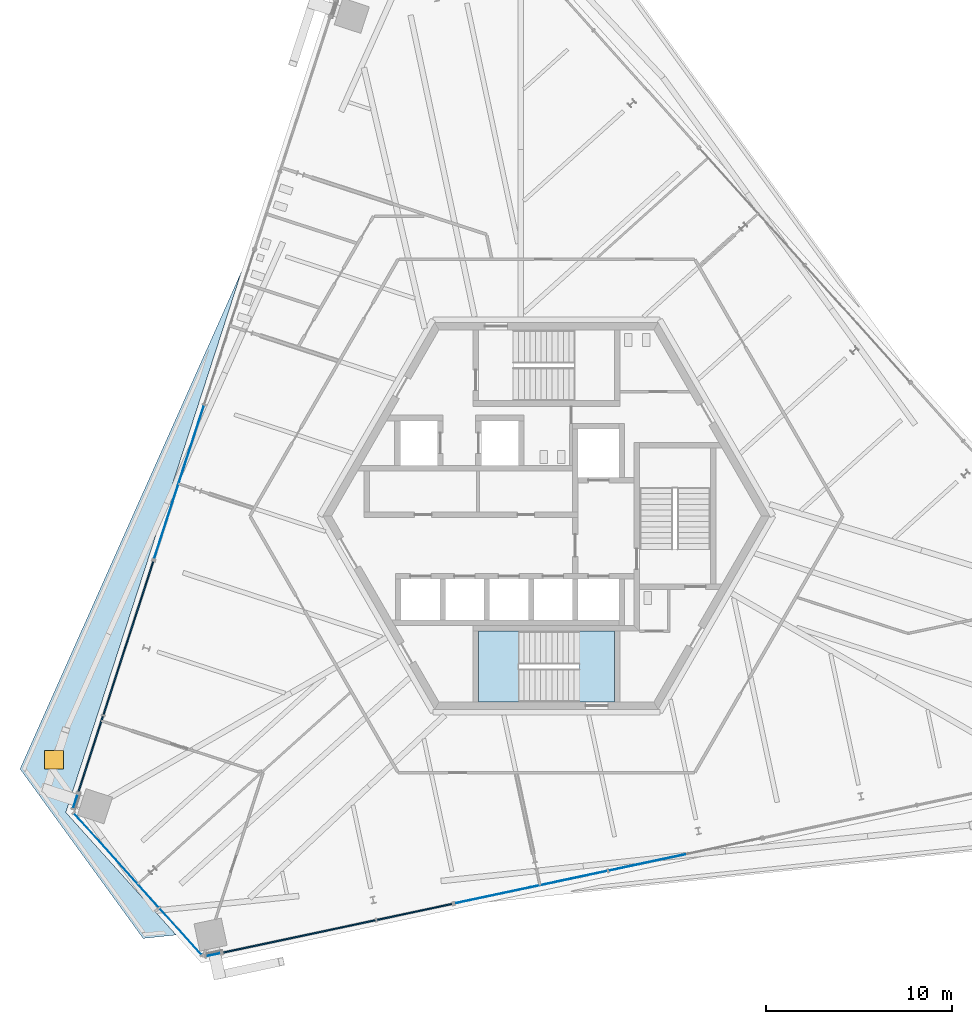
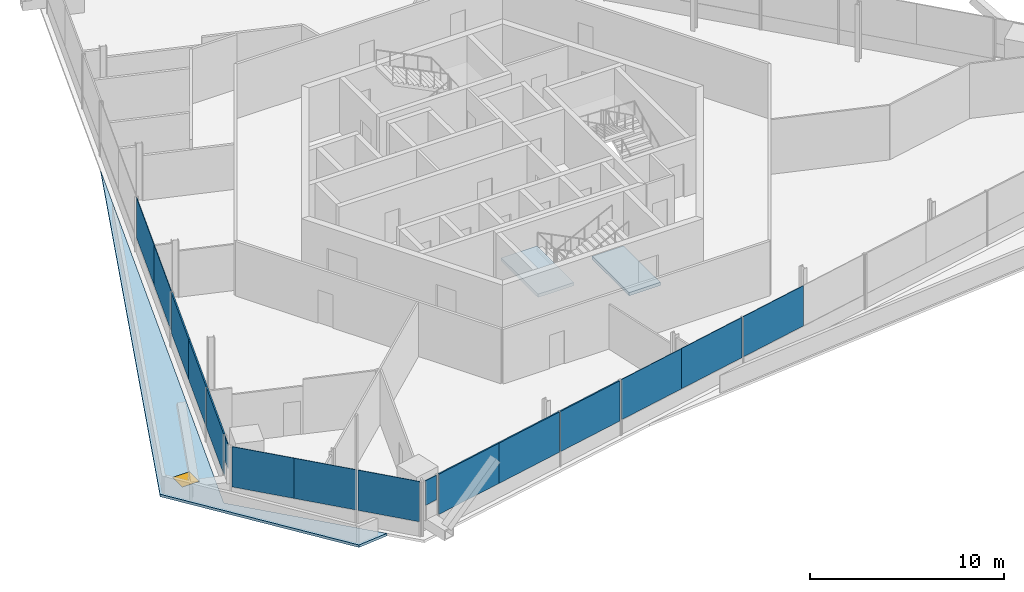
# One storey, part 10 of 20: 16 plates, 3 slabs, 1 door, 1 opening, 8 elements without a shape of their own.
"""IFC4 building model written with IfcOpenShell, lengths in metres."""

from ifc_helpers import new_model, si_unit, direction, frame, origin, origin_2d, place, context, subcontext, project, spatial, polyline, rectangle, outline, extrude, source, transform, mapped, material, layer, layer_set, type_object, element, fill, aggregate, save


model = new_model("IFC4")

# Units and contexts
model_context = context("Model", 3, precision=1e-05, world=origin(), true_north=direction((0.0, 1.0)))
body_context = subcontext(model_context, "Body", "Model", "MODEL_VIEW")
ifc_project = project(units=[si_unit("LENGTHUNIT", "METRE"), si_unit("AREAUNIT", "SQUARE_METRE"), si_unit("VOLUMEUNIT", "CUBIC_METRE"), si_unit("PLANEANGLEUNIT", "RADIAN"), si_unit("MASSUNIT", "GRAM", prefix="KILO")], contexts=[model_context])

# Site, building, storey
site_placement = place(None, origin())
site = spatial("IfcSite", under=ifc_project, at=site_placement, CompositionType="ELEMENT")
building_placement = place(site_placement, origin())
building = spatial("IfcBuilding", under=site, at=building_placement, Name="Triune Harvest Tower", CompositionType="ELEMENT")
storey_placement = place(building_placement, frame((0.0, 0.0, 259.5)))
storey = spatial("IfcBuildingStorey", under=building, at=storey_placement, Name="L68", CompositionType="ELEMENT", Elevation=259.5)

# Slab, opening, door
ifc_material_1 = material(Name="Concrete 40 MPa", Category="concrete")
ifc_layer_1 = layer(ifc_material_1, 0.159912109375)
ifc_layer_set_1 = layer_set([ifc_layer_1], Name="Concrete 40 MPa")
slab_type_1 = type_object("IfcSlabType", Name="WR-1 Wedge roof slab 160", PredefinedType="ROOF", material=ifc_layer_set_1)
slab_1_placement = place(storey_placement, frame((0.0, 0.0, -0.159912109375)))
slab_1 = element("IfcSlab", 1, at=slab_1_placement, inside=storey, type_object=slab_type_1, Name="Wedge roof slab L67 1", PredefinedType="ROOF", context=body_context, shape_type="SweptSolid", body=[
    extrude(outline(polyline([(-21.659912109375, -22.69189453125), (-19.88671875, -22.505615234375), (-25.81396484375, -15.922607421875), (-16.361083984375, 13.17041015625), (-28.274658203125, -13.587646484375), (-21.659912109375, -22.69189453125)])), origin(), (0.0, 0.0, 1.0), 0.159912109375),
])
opening_placement = place(slab_1_placement, frame((-26.451171875, -13.09765625, 0.0)))
opening = element("IfcOpeningElement", 2, at=opening_placement, cuts=slab_1, Name="Opening RH-L67.3", PredefinedType="OPENING", context=body_context, shape_type="SweptSolid", body=[
    extrude(rectangle(XDim=1.0, YDim=1.0, at=origin_2d()), origin(), (0.0, 0.0, 1.0), 0.159912109375),
])
ifc_material_2 = material(Name="Aluminium bronze anodised", Category="aluminium")
door_type = type_object("IfcDoorType", Name="RH-1 roof hatch 1000 x 1000", OperationType="SINGLE_SWING_LEFT", PredefinedType="TRAPDOOR", material=ifc_material_2)
door_placement = place(opening_placement, frame((0.0, 0.0, 0.10986328125)))
door = element("IfcDoor", 3, at=door_placement, inside=storey, type_object=door_type, Name="Roof hatch L67.3", OperationType="SINGLE_SWING_LEFT", OverallHeight=1.0, OverallWidth=1.0, PredefinedType="TRAPDOOR", context=body_context, shape_type="SweptSolid", body=[
    extrude(rectangle(XDim=1.0, YDim=1.0, at=origin_2d()), origin(), (0.0, 0.0, 1.0), 0.050048828125),
])
fill(opening, door)

# Stair, slabs
ifc_material_3 = material(Name="Concrete 40 MPa", Category="concrete")
stair_type = type_object("IfcStairType", Name="Exit stair 1800 half turn", PredefinedType="HALF_TURN_STAIR", material=ifc_material_3)
stair_placement = place(storey_placement, origin())
stair = element("IfcStair", 4, at=stair_placement, inside=storey, type_object=stair_type, Name="Exit stair south", PredefinedType="HALF_TURN_STAIR")
ifc_material_4 = material(Name="Concrete 40 MPa", Category="concrete")
ifc_layer_2 = layer(ifc_material_4, 0.199951171875)
ifc_layer_set_2 = layer_set([ifc_layer_2], Name="Concrete 40 MPa")
slab_type_2 = type_object("IfcSlabType", Name="Stair landing 200", PredefinedType="LANDING", material=ifc_layer_set_2)
shared_shape_1 = source(origin(), body_context, "Body", "SweptSolid", [
    extrude(outline(polyline([(-1.510009765625, -6.18994140625), (-3.64990234375, -6.18994140625), (-3.64990234375, -9.989990234375), (-1.510009765625, -9.989990234375), (-1.510009765625, -6.18994140625)])), origin(), (0.0, 0.0, 1.0), 0.199951171875),
])
slab_2_placement = place(storey_placement, frame((0.0, 0.0, 1.60009765625)))
slab_2 = element("IfcSlab", 5, at=slab_2_placement, type_object=slab_type_2, Name="ST-2 landing 2", PredefinedType="LANDING", context=body_context, shape_type="MappedRepresentation", body=[
    mapped(shared_shape_1, transform((0.0, 0.0, 0.0), scale=1.0)),
])
shared_shape_2 = source(origin(), body_context, "Body", "SweptSolid", [
    extrude(outline(polyline([(3.64990234375, -6.18994140625), (1.780029296875, -6.18994140625), (1.780029296875, -9.989990234375), (3.64990234375, -9.989990234375), (3.64990234375, -6.18994140625)])), origin(), (0.0, 0.0, 1.0), 0.199951171875),
])
slab_3_placement = place(storey_placement, frame((0.0, 0.0, -0.199951171875)))
slab_3 = element("IfcSlab", 6, at=slab_3_placement, type_object=slab_type_2, Name="ST-2 landing 1", PredefinedType="LANDING", context=body_context, shape_type="MappedRepresentation", body=[
    mapped(shared_shape_2, transform((0.0, 0.0, 0.0), scale=1.0)),
])
aggregate(stair, [slab_3, slab_2])

# Curtain wall, plate
ifc_material_5 = material(Name="Aluminium bronze anodised", Category="aluminium")
curtain_wall_type_1 = type_object("IfcCurtainWallType", Name="CW-7 Tower stick curtain wall with insulated spandrel infill", PredefinedType="NOTDEFINED", material=ifc_material_5)
curtain_wall_1_placement = place(storey_placement, origin())
curtain_wall_1 = element("IfcCurtainWall", 7, at=curtain_wall_1_placement, inside=storey, type_object=curtain_wall_type_1, Name="CW-7 B7-F3 L68 run 2101")
ifc_material_6 = material(Name="Insulated spandrel panel, bronze aluminium pan", Category="aluminium")
ifc_layer_3 = layer(ifc_material_6, 0.080078125)
ifc_layer_set_3 = layer_set([ifc_layer_3], Name="Insulated spandrel panel, bronze aluminium pan")
plate_type_1 = type_object("IfcPlateType", Name="SP-1 insulated spandrel panel 80", PredefinedType="CURTAIN_PANEL", material=ifc_layer_set_3)
shared_shape_3 = source(origin(), body_context, "Body", "SweptSolid", [
    extrude(rectangle(XDim=4.349365234375, YDim=0.080078125, at=origin_2d()), origin(), (0.0, 0.0, 1.0), 2.5400390625),
])
plate_1_placement = place(storey_placement, frame((-23.122802734375, -8.61181640625, 0.89990234375), z_axis=(0.0, 0.0, 1.0), x_axis=(-0.309013224442, -0.951057741212, 0.0)))
plate_1 = element("IfcPlate", 8, at=plate_1_placement, type_object=plate_type_1, Name="CW-7 panel B7-F3 2101.2", PredefinedType="CURTAIN_PANEL", context=body_context, shape_type="MappedRepresentation", body=[
    mapped(shared_shape_3, transform((0.0, 0.0, 0.0), scale=1.0)),
])

# Curtain wall, plates
curtain_wall_2_placement = place(storey_placement, origin())
curtain_wall_2 = element("IfcCurtainWall", 9, at=curtain_wall_2_placement, inside=storey, type_object=curtain_wall_type_1, Name="CW-7 B7-F5 L68 run 101")
shared_shape_4 = source(origin(), body_context, "Body", "SweptSolid", [
    extrude(rectangle(XDim=4.165771484375, YDim=0.080078125, at=origin_2d()), origin(), (0.0, 0.0, 1.0), 2.5400390625),
])
plate_2_placement = place(storey_placement, frame((-15.326171875, -23.019287109375, 0.89990234375), z_axis=(0.0, 0.0, 1.0), x_axis=(0.9781478824, 0.20791036568, 0.0)))
plate_2 = element("IfcPlate", 10, at=plate_2_placement, type_object=plate_type_1, Name="CW-7 panel B7-F5 101.1", PredefinedType="CURTAIN_PANEL", context=body_context, shape_type="MappedRepresentation", body=[
    mapped(shared_shape_4, transform((0.0, 0.0, 0.0), scale=1.0)),
])
shared_shape_5 = source(origin(), body_context, "Body", "SweptSolid", [
    extrude(rectangle(XDim=4.203369140625, YDim=0.080078125, at=origin_2d()), origin(), (0.0, 0.0, 1.0), 2.5400390625),
])
plate_3_placement = place(storey_placement, frame((-11.23291015625, -22.1494140625, 0.89990234375), z_axis=(0.0, 0.0, 1.0), x_axis=(0.9781478824, 0.20791036568, 0.0)))
plate_3 = element("IfcPlate", 11, at=plate_3_placement, type_object=plate_type_1, Name="CW-7 panel B7-F5 101.2", PredefinedType="CURTAIN_PANEL", context=body_context, shape_type="MappedRepresentation", body=[
    mapped(shared_shape_5, transform((0.0, 0.0, 0.0), scale=1.0)),
])
shared_shape_6 = source(origin(), body_context, "Body", "SweptSolid", [
    extrude(rectangle(XDim=4.128173828125, YDim=0.080078125, at=origin_2d()), origin(), (0.0, 0.0, 1.0), 2.5400390625),
])
plate_4_placement = place(storey_placement, frame((-7.0849609375, -21.267578125, 0.89990234375), z_axis=(0.0, 0.0, 1.0), x_axis=(0.9781478824, 0.20791036568, 0.0)))
plate_4 = element("IfcPlate", 12, at=plate_4_placement, type_object=plate_type_1, Name="CW-7 panel B7-F5 101.3", PredefinedType="CURTAIN_PANEL", context=body_context, shape_type="MappedRepresentation", body=[
    mapped(shared_shape_6, transform((0.0, 0.0, 0.0), scale=1.0)),
])
aggregate(curtain_wall_2, [plate_2, plate_3, plate_4])

ifc_material_7 = material(Name="Aluminium bronze anodised", Category="aluminium")
curtain_wall_type_2 = type_object("IfcCurtainWallType", Name="CW-1 Tower stick curtain wall", PredefinedType="NOTDEFINED", material=ifc_material_7)
curtain_wall_3_placement = place(storey_placement, origin())
curtain_wall_3 = element("IfcCurtainWall", 13, at=curtain_wall_3_placement, inside=storey, type_object=curtain_wall_type_2, Name="CW-1 B7-F5 L68 run 1101")
ifc_material_8 = material(Name="Glass", Category="glass")
ifc_layer_4 = layer(ifc_material_8, 0.031982421875)
ifc_layer_set_4 = layer_set([ifc_layer_4], Name="Glass")
plate_type_2 = type_object("IfcPlateType", Name="GL-1 panel 32", PredefinedType="CURTAIN_PANEL", material=ifc_layer_set_4)
shared_shape_7 = source(origin(), body_context, "Body", "SweptSolid", [
    extrude(rectangle(XDim=4.165771484375, YDim=0.031982421875, at=origin_2d()), origin(), (0.0, 0.0, 1.0), 2.5400390625),
])
plate_5_placement = place(storey_placement, frame((-2.8818359375, -20.374267578125, 0.89990234375), z_axis=(0.0, 0.0, 1.0), x_axis=(0.9781478824, 0.20791036568, 0.0)))
plate_5 = element("IfcPlate", 14, at=plate_5_placement, type_object=plate_type_2, Name="CW-1 panel B7-F5 1101.1", PredefinedType="CURTAIN_PANEL", context=body_context, shape_type="MappedRepresentation", body=[
    mapped(shared_shape_7, transform((0.0, 0.0, 0.0), scale=1.0)),
])
shared_shape_8 = source(origin(), body_context, "Body", "SweptSolid", [
    extrude(rectangle(XDim=4.203369140625, YDim=0.031982421875, at=origin_2d()), origin(), (0.0, 0.0, 1.0), 2.5400390625),
])
plate_6_placement = place(storey_placement, frame((1.21142578125, -19.504150390625, 0.89990234375), z_axis=(0.0, 0.0, 1.0), x_axis=(0.9781478824, 0.20791036568, 0.0)))
plate_6 = element("IfcPlate", 15, at=plate_6_placement, type_object=plate_type_2, Name="CW-1 panel B7-F5 1101.2", PredefinedType="CURTAIN_PANEL", context=body_context, shape_type="MappedRepresentation", body=[
    mapped(shared_shape_8, transform((0.0, 0.0, 0.0), scale=1.0)),
])
plate_7_placement = place(storey_placement, frame((5.39599609375, -18.61474609375, 0.89990234375), z_axis=(0.0, 0.0, 1.0), x_axis=(0.9781478824, 0.20791036568, 0.0)))
plate_7 = element("IfcPlate", 16, at=plate_7_placement, type_object=plate_type_2, Name="CW-1 panel B7-F5 1101.3", PredefinedType="CURTAIN_PANEL", context=body_context, shape_type="MappedRepresentation", body=[
    mapped(shared_shape_8, transform((0.0, 0.0, 0.0), scale=1.0)),
])
aggregate(curtain_wall_3, [plate_5, plate_6, plate_7])

curtain_wall_4_placement = place(storey_placement, origin())
curtain_wall_4 = element("IfcCurtainWall", 17, at=curtain_wall_4_placement, inside=storey, type_object=curtain_wall_type_2, Name="CW-1 B7-F4 L68 run 1")
shared_shape_9 = source(origin(), body_context, "Body", "SweptSolid", [
    extrude(rectangle(XDim=3.376220703125, YDim=0.031982421875, at=origin_2d()), origin(), (0.0, 0.0, 1.0), 2.5400390625),
])
plate_8_placement = place(storey_placement, frame((-24.23486328125, -17.2275390625, 0.89990234375), z_axis=(0.0, 0.0, 1.0), x_axis=(0.669132031472, -0.743143542297, 0.0)))
plate_8 = element("IfcPlate", 18, at=plate_8_placement, type_object=plate_type_2, Name="CW-1 panel B7-F4 1.1", PredefinedType="CURTAIN_PANEL", context=body_context, shape_type="MappedRepresentation", body=[
    mapped(shared_shape_9, transform((0.0, 0.0, 0.0), scale=1.0)),
])
shared_shape_10 = source(origin(), body_context, "Body", "SweptSolid", [
    extrude(rectangle(XDim=3.338623046875, YDim=0.031982421875, at=origin_2d()), origin(), (0.0, 0.0, 1.0), 2.5400390625),
])
plate_9_placement = place(storey_placement, frame((-19.65380859375, -22.315185546875, 0.89990234375), z_axis=(0.0, 0.0, 1.0), x_axis=(0.669132031472, -0.743143542297, 0.0)))
plate_9 = element("IfcPlate", 19, at=plate_9_placement, type_object=plate_type_2, Name="CW-1 panel B7-F4 1.3", PredefinedType="CURTAIN_PANEL", context=body_context, shape_type="MappedRepresentation", body=[
    mapped(shared_shape_10, transform((0.0, 0.0, 0.0), scale=1.0)),
])

# Plate
shared_shape_11 = source(origin(), body_context, "Body", "SweptSolid", [
    extrude(rectangle(XDim=4.31201171875, YDim=0.080078125, at=origin_2d()), origin(), (0.0, 0.0, 1.0), 2.5400390625),
])
plate_10_placement = place(storey_placement, frame((-21.78466796875, -4.4931640625, 0.89990234375), z_axis=(0.0, 0.0, 1.0), x_axis=(-0.309013224442, -0.951057741212, 0.0)))
plate_10 = element("IfcPlate", 20, at=plate_10_placement, type_object=plate_type_1, Name="CW-7 panel B7-F3 2101.1", PredefinedType="CURTAIN_PANEL", context=body_context, shape_type="MappedRepresentation", body=[
    mapped(shared_shape_11, transform((0.0, 0.0, 0.0), scale=1.0)),
])

shared_shape_12 = source(origin(), body_context, "Body", "SweptSolid", [
    extrude(rectangle(XDim=4.2744140625, YDim=0.080078125, at=origin_2d()), origin(), (0.0, 0.0, 1.0), 2.5400390625),
])
plate_11_placement = place(storey_placement, frame((-24.478515625, -12.7841796875, 0.89990234375), z_axis=(0.0, 0.0, 1.0), x_axis=(-0.309013224442, -0.951057741212, 0.0)))
plate_11 = element("IfcPlate", 21, at=plate_11_placement, type_object=plate_type_1, Name="CW-7 panel B7-F3 2101.3", PredefinedType="CURTAIN_PANEL", context=body_context, shape_type="MappedRepresentation", body=[
    mapped(shared_shape_12, transform((0.0, 0.0, 0.0), scale=1.0)),
])

aggregate(curtain_wall_1, [plate_10, plate_1, plate_11])

# Curtain wall, plates
curtain_wall_5_placement = place(storey_placement, origin())
curtain_wall_5 = element("IfcCurtainWall", 22, at=curtain_wall_5_placement, inside=storey, type_object=curtain_wall_type_2, Name="CW-1 B7-F3 L68 run 1101")
shared_shape_13 = source(origin(), body_context, "Body", "SweptSolid", [
    extrude(rectangle(XDim=4.31201171875, YDim=0.031982421875, at=origin_2d()), origin(), (0.0, 0.0, 1.0), 2.5400390625),
])
plate_12_placement = place(storey_placement, frame((-20.40576171875, -0.24951171875, 0.89990234375), z_axis=(0.0, 0.0, 1.0), x_axis=(-0.309014427743, -0.951057350241, 0.0)))
plate_12 = element("IfcPlate", 23, at=plate_12_placement, type_object=plate_type_2, Name="CW-1 panel B7-F3 1101.4", PredefinedType="CURTAIN_PANEL", context=body_context, shape_type="MappedRepresentation", body=[
    mapped(shared_shape_13, transform((0.0, 0.0, 0.0), scale=1.0)),
])
shared_shape_14 = source(origin(), body_context, "Body", "SweptSolid", [
    extrude(rectangle(XDim=4.349609375, YDim=0.031982421875, at=origin_2d()), origin(), (0.0, 0.0, 1.0), 2.5400390625),
])
plate_13_placement = place(storey_placement, frame((-19.067626953125, 3.869384765625, 0.89990234375), z_axis=(0.0, 0.0, 1.0), x_axis=(-0.309014427743, -0.951057350241, 0.0)))
plate_13 = element("IfcPlate", 24, at=plate_13_placement, type_object=plate_type_2, Name="CW-1 panel B7-F3 1101.3", PredefinedType="CURTAIN_PANEL", context=body_context, shape_type="MappedRepresentation", body=[
    mapped(shared_shape_14, transform((0.0, 0.0, 0.0), scale=1.0)),
])
aggregate(curtain_wall_5, [plate_13, plate_12])

# Curtain wall, plate
curtain_wall_6_placement = place(storey_placement, origin())
curtain_wall_6 = element("IfcCurtainWall", 25, at=curtain_wall_6_placement, inside=storey, type_object=curtain_wall_type_2, Name="CW-1 B7-F3 L68 run 201")
shared_shape_15 = source(origin(), body_context, "Body", "SweptSolid", [
    extrude(rectangle(XDim=0.77197265625, YDim=0.031982421875, at=origin_2d()), origin(), (0.0, 0.0, 1.0), 1.554931640625),
])
plate_14_placement = place(storey_placement, frame((-25.304443359375, -15.326416015625, 1.88525390625), z_axis=(0.0, 0.0, 1.0), x_axis=(-0.309027208029, -0.951053197617, 0.0)))
plate_14 = element("IfcPlate", 26, at=plate_14_placement, type_object=plate_type_2, Name="CW-1 panel B7-F3 201.1", PredefinedType="CURTAIN_PANEL", context=body_context, shape_type="MappedRepresentation", body=[
    mapped(shared_shape_15, transform((0.0, 0.0, 0.0), scale=1.0)),
])
aggregate(curtain_wall_6, [plate_14])

curtain_wall_7_placement = place(storey_placement, origin())
curtain_wall_7 = element("IfcCurtainWall", 27, at=curtain_wall_7_placement, inside=storey, type_object=curtain_wall_type_2, Name="CW-1 B7-F5 L68 run 1")
plate_15_placement = place(storey_placement, frame((-17.8876953125, -23.56396484375, 1.88525390625), z_axis=(0.0, 0.0, 1.0), x_axis=(0.978139272349, 0.207950868928, 0.0)))
plate_15 = element("IfcPlate", 28, at=plate_15_placement, type_object=plate_type_2, Name="CW-1 panel B7-F5 1.1", PredefinedType="CURTAIN_PANEL", context=body_context, shape_type="MappedRepresentation", body=[
    mapped(shared_shape_15, transform((0.0, 0.0, 0.0), scale=1.0)),
])
aggregate(curtain_wall_7, [plate_15])

# Plate
shared_shape_16 = source(origin(), body_context, "Body", "SweptSolid", [
    extrude(rectangle(XDim=3.41357421875, YDim=0.031982421875, at=origin_2d()), origin(), (0.0, 0.0, 1.0), 2.5400390625),
])
plate_16_placement = place(storey_placement, frame((-21.963134765625, -19.75048828125, 0.89990234375), z_axis=(0.0, 0.0, 1.0), x_axis=(0.669132031472, -0.743143542297, 0.0)))
plate_16 = element("IfcPlate", 29, at=plate_16_placement, type_object=plate_type_2, Name="CW-1 panel B7-F4 1.2", PredefinedType="CURTAIN_PANEL", context=body_context, shape_type="MappedRepresentation", body=[
    mapped(shared_shape_16, transform((0.0, 0.0, 0.0), scale=1.0)),
])

aggregate(curtain_wall_4, [plate_8, plate_16, plate_9])

save(model, "model.ifc")
